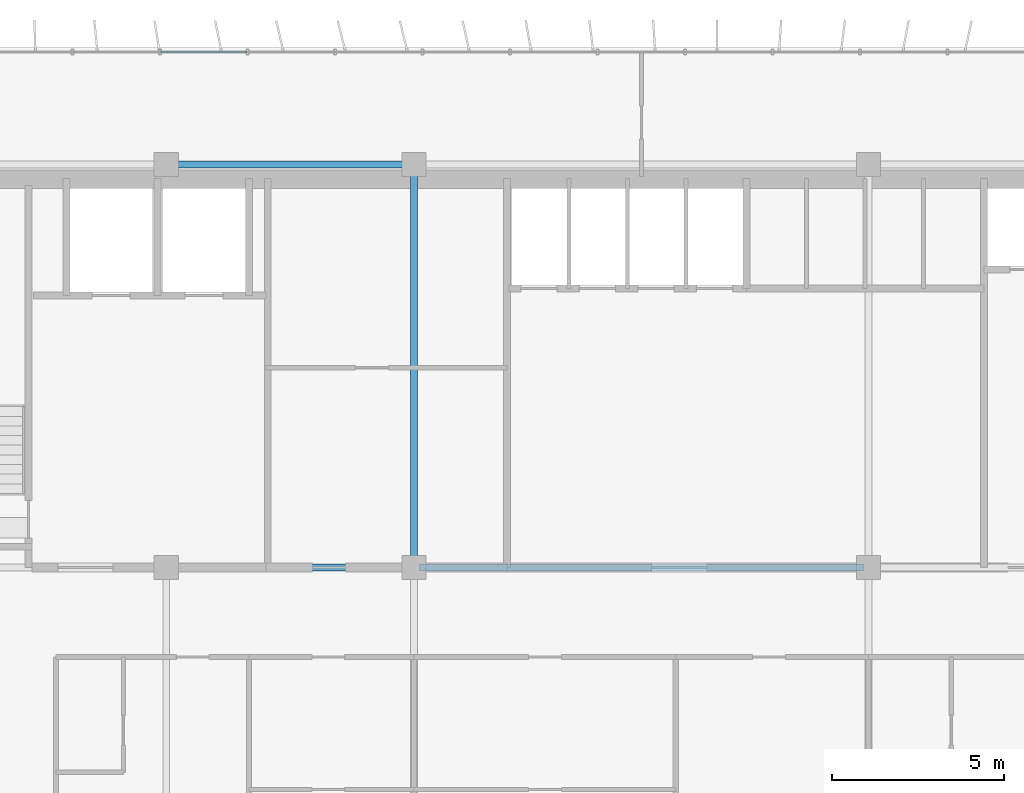
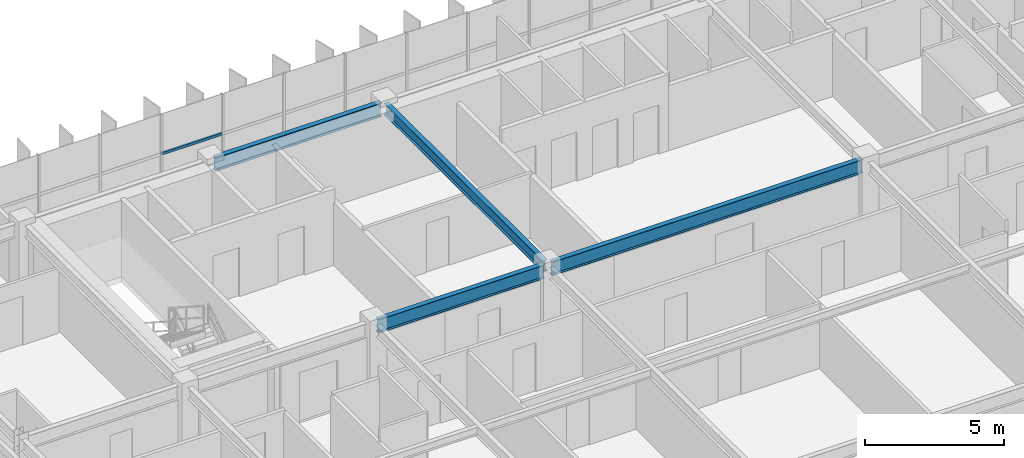
# One storey, part 8 of 24: 4 beams, 1 member, 1 element without a shape of its own.
"""IFC4 building model written with IfcOpenShell, lengths in metres."""

from ifc_helpers import new_model, si_unit, direction, frame, origin, origin_2d, place, context, subcontext, project, spatial, hollow_rectangle, i_section, extrude, source, transform, mapped, material, material_profile, profile_set, type_object, element, aggregate, save


model = new_model("IFC4")

# Units and contexts
model_context = context("Model", 3, precision=1e-05, world=origin(), true_north=direction((0.0, 1.0)))
body_context = subcontext(model_context, "Body", "Model", "MODEL_VIEW")
ifc_project = project(units=[si_unit("LENGTHUNIT", "METRE"), si_unit("AREAUNIT", "SQUARE_METRE"), si_unit("VOLUMEUNIT", "CUBIC_METRE"), si_unit("PLANEANGLEUNIT", "RADIAN"), si_unit("MASSUNIT", "GRAM", prefix="KILO")], contexts=[model_context])

# Site, building, storey
site_placement = place(None, origin())
site = spatial("IfcSite", under=ifc_project, at=site_placement, CompositionType="ELEMENT")
building_placement = place(site_placement, origin())
building = spatial("IfcBuilding", under=site, at=building_placement, Name="Trelvane Seafront Commons", CompositionType="ELEMENT")
storey_placement = place(building_placement, frame((0.0, 0.0, 175.300048828125)))
storey = spatial("IfcBuildingStorey", under=building, at=storey_placement, Name="L46", CompositionType="ELEMENT", Elevation=175.300048828125)

# Beams
ifc_material_1 = material(Name="Steel SM355 (S355)", Category="steel")
ifc_material_profile_1 = material_profile(ifc_material_1, i_section(OverallWidth=0.199951171875, OverallDepth=0.5, WebThickness=0.010009765625, FlangeThickness=0.01611328125, at=origin_2d()), Name="H-500x200x10x16")
ifc_profile_set_1 = profile_set([ifc_material_profile_1], Name="Steel SM355 (S355)")
beam_type_1 = type_object("IfcBeamType", Name="STR-BM-H500", PredefinedType="BEAM", material=ifc_profile_set_1)
shared_shape_1 = source(origin(), body_context, "Body", "SweptSolid", [
    extrude(i_section(OverallWidth=0.199951171875, OverallDepth=0.5, WebThickness=0.010009765625, FlangeThickness=0.01611328125, at=origin_2d()), origin(), (0.0, 0.0, 1.0), 11.39990234375),
])
beam_1_placement = place(storey_placement, frame((30.60009765625, 33.550048828125, 3.099853515625), z_axis=(0.0, 1.0, 0.0), x_axis=(-1.0, 0.0, 0.0)))
element("IfcBeam", 1, at=beam_1_placement, inside=storey, type_object=beam_type_1, Name="L46 Primary Girder G-40", PredefinedType="BEAM", context=body_context, shape_type="MappedRepresentation", body=[
    mapped(shared_shape_1, transform((0.0, 0.0, 0.0), x_axis=(1.0, 0.0, 0.0), y_axis=(0.0, 1.0, 0.0), z_axis=(0.0, 0.0, 1.0), scale=1.0)),
])
ifc_material_profile_2 = material_profile(ifc_material_1, i_section(OverallWidth=0.199951171875, OverallDepth=0.60009765625, WebThickness=0.010986328125, FlangeThickness=0.01708984375, at=origin_2d()), Name="H-600x200x11x17")
ifc_profile_set_2 = profile_set([ifc_material_profile_2], Name="Steel SM355 (S355)")
beam_type_2 = type_object("IfcBeamType", Name="STR-SPD-H600", PredefinedType="SPANDREL", material=ifc_profile_set_2)
shared_shape_2 = source(origin(), body_context, "Body", "SweptSolid", [
    extrude(i_section(OverallWidth=0.199951171875, OverallDepth=0.60009765625, WebThickness=0.010986328125, FlangeThickness=0.01708984375, at=origin_2d()), origin(), (0.0, 0.0, 1.0), 12.89990234375),
])
beam_2_placement = place(storey_placement, frame((30.75, 33.39990234375, 3.050048828125), z_axis=(1.0, 0.0, 0.0), x_axis=(0.0, 1.0, 0.0)))
element("IfcBeam", 2, at=beam_2_placement, inside=storey, type_object=beam_type_2, Name="L46 Primary Girder G-18", PredefinedType="SPANDREL", context=body_context, shape_type="MappedRepresentation", body=[
    mapped(shared_shape_2, transform((0.0, 0.0, 0.0), x_axis=(1.0, 0.0, 0.0), y_axis=(0.0, 1.0, 0.0), z_axis=(0.0, 0.0, 1.0), scale=1.0)),
])
shared_shape_3 = source(origin(), body_context, "Body", "SweptSolid", [
    extrude(i_section(OverallWidth=0.199951171875, OverallDepth=0.60009765625, WebThickness=0.010986328125, FlangeThickness=0.01708984375, at=origin_2d()), origin(), (0.0, 0.0, 1.0), 6.89990234375),
])
for number, where, z_axis, x_axis, name in (
    (3, (23.550048828125, 33.39990234375, 3.050048828125), (1.0, 0.0, 0.0), (0.0, 1.0, 0.0), "L46 Primary Girder G-17"),
    (4, (23.550048828125, 45.10009765625, 3.050048828125), (1.0, 0.0, 0.0), (0.0, 1.0, 0.0), "L46 Primary Girder G-24"),
):
    element("IfcBeam", number, at=place(storey_placement, frame(where, z_axis=z_axis, x_axis=x_axis)), inside=storey, type_object=beam_type_2, Name=name, PredefinedType="SPANDREL", context=body_context, shape_type="MappedRepresentation", body=[
        mapped(shared_shape_3, transform((0.0, 0.0, 0.0), x_axis=(1.0, 0.0, 0.0), y_axis=(0.0, 1.0, 0.0), z_axis=(0.0, 0.0, 1.0), scale=1.0)),
    ])

# Curtain wall, member
ifc_material_2 = material(Name="Anodised pale-silver aluminium", Category="aluminium")
curtain_wall_type = type_object("IfcCurtainWallType", Name="ARCH-CW5-UPTOWER", PredefinedType="NOTDEFINED", material=ifc_material_2)
curtain_wall_placement = place(storey_placement, origin())
curtain_wall = element("IfcCurtainWall", 5, at=curtain_wall_placement, inside=storey, type_object=curtain_wall_type, Name="CW-L46-0073", PredefinedType="NOTDEFINED")
ifc_material_profile_3 = material_profile(ifc_material_2, hollow_rectangle(XDim=0.070068359375, YDim=0.1201171875, WallThickness=0.00390625, at=origin_2d()), Name="TRAN-70x120x4")
ifc_profile_set_3 = profile_set([ifc_material_profile_3], Name="Anodised pale-silver aluminium")
member_type = type_object("IfcMemberType", Name="ARCH-CW-TRAN-120", PredefinedType="USERDEFINED", material=ifc_profile_set_3)
shared_shape_4 = source(origin(), body_context, "Body", "SweptSolid", [
    extrude(hollow_rectangle(XDim=0.070068359375, YDim=0.1201171875, WallThickness=0.00390625, at=origin_2d()), origin(), (0.0, 0.0, 1.0), 2.51708984375),
])
member_placement = place(storey_placement, frame((23.235595703125, 48.3701171875, 1.60791015625), z_axis=(1.0, 0.0, 0.0), x_axis=(0.0, 1.0, 0.0)))
member = element("IfcMember", 6, at=member_placement, type_object=member_type, Name="CW-L46-0073-T03", ObjectType="TRANSOM", PredefinedType="USERDEFINED", context=body_context, shape_type="MappedRepresentation", body=[
    mapped(shared_shape_4, transform((0.0, 0.0, 0.0), x_axis=(1.0, 0.0, 0.0), y_axis=(0.0, 1.0, 0.0), z_axis=(0.0, 0.0, 1.0), scale=1.0)),
])
aggregate(curtain_wall, [member])

save(model, "model.ifc")
